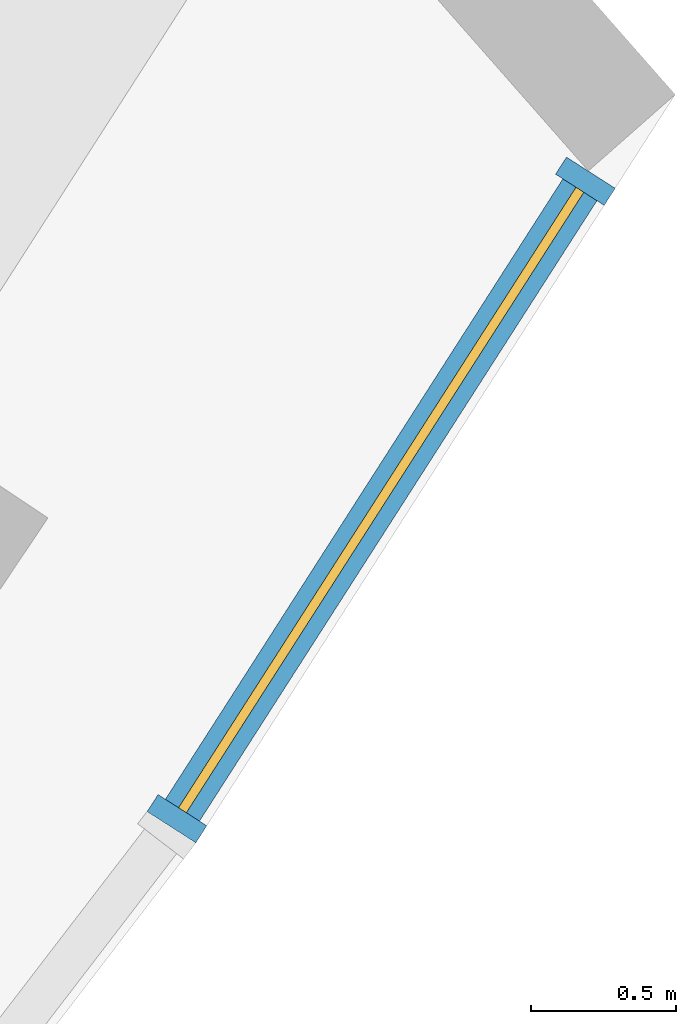
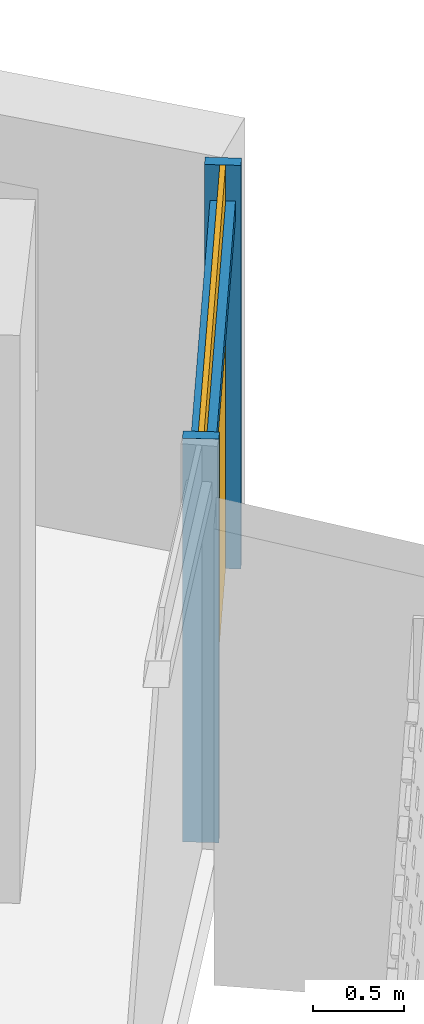
# One storey, part 25 of 32: 3 members, 1 curtain wall.
"""IFC4 building model written with IfcOpenShell, lengths in metres."""

from ifc_helpers import new_model, si_unit, direction, frame, origin, origin_2d, place, context, subcontext, project, spatial, rectangle, extrude, material, material_profile, profile_set, type_object, element, aggregate, save


model = new_model("IFC4")

# Units and contexts
model_context = context("Model", 3, precision=1e-05, world=origin(), true_north=direction((0.0, 1.0)))
body_context = subcontext(model_context, "Body", "Model", "MODEL_VIEW")
ifc_project = project(units=[si_unit("LENGTHUNIT", "METRE"), si_unit("AREAUNIT", "SQUARE_METRE"), si_unit("VOLUMEUNIT", "CUBIC_METRE"), si_unit("PLANEANGLEUNIT", "RADIAN"), si_unit("MASSUNIT", "GRAM", prefix="KILO")], contexts=[model_context])

# Member
ifc_material = material(Name="Aluminium 6063-T6 anodised", Category="aluminium")
ifc_material_profile_1 = material_profile(ifc_material, rectangle(XDim=0.199951171875, YDim=0.070068359375, at=origin_2d()))
ifc_profile_set_1 = profile_set([ifc_material_profile_1], Name="Aluminium 6063-T6 anodised")
member_type_1 = type_object("IfcMemberType", Name="Mullion 70 x 200 aluminium", PredefinedType="MULLION", material=ifc_profile_set_1)
site_placement = place(None, origin())
building_placement = place(site_placement, origin())
storey_placement = place(building_placement, frame((0.0, 0.0, 70.89990234375)))
member_1_placement = place(storey_placement, frame((66.1611328125, -44.167724609375, 0.0), z_axis=(0.0, 0.0, 1.0), x_axis=(-0.842034175149, 0.539424181773, 0.0)))
member_1 = element("IfcMember", 1, at=member_1_placement, type_object=member_type_1, Name="e-cw1-L14-out16/M00", PredefinedType="MULLION", context=body_context, shape_type="SweptSolid", body=[
    extrude(rectangle(XDim=0.199951171875, YDim=0.070068359375, at=origin_2d()), origin(), (0.0, 0.0, 1.0), 2.7001953125),
])

member_2_placement = place(storey_placement, frame((67.57373046875, -41.962890625, 0.0), z_axis=(0.0, 0.0, 1.0), x_axis=(-0.842034175149, 0.539424181773, 0.0)))
member_2 = element("IfcMember", 2, at=member_2_placement, type_object=member_type_1, Name="e-cw1-L14-out16/M01", PredefinedType="MULLION", context=body_context, shape_type="SweptSolid", body=[
    extrude(rectangle(XDim=0.199951171875, YDim=0.070068359375, at=origin_2d()), origin(), (0.0, 0.0, 1.0), 2.7001953125),
])

ifc_material_profile_2 = material_profile(ifc_material, rectangle(XDim=0.139892578125, YDim=0.1201171875, at=origin_2d()))
ifc_profile_set_2 = profile_set([ifc_material_profile_2], Name="Aluminium 6063-T6 anodised")
member_type_2 = type_object("IfcMemberType", Name="Transom 120 x 140 aluminium", PredefinedType="USERDEFINED", material=ifc_profile_set_2)
member_3_placement = place(storey_placement, frame((66.18017578125, -44.13818359375, 2.400146484375), z_axis=(0.539420623138, 0.842036454872, 0.0), x_axis=(-0.842036454872, 0.539420623138, 0.0)))
member_3 = element("IfcMember", 3, at=member_3_placement, type_object=member_type_2, Name="e-cw1-L14-out16/T00", ObjectType="TRANSOM", PredefinedType="USERDEFINED", context=body_context, shape_type="SweptSolid", body=[
    extrude(rectangle(XDim=0.139892578125, YDim=0.1201171875, at=origin_2d()), origin(), (0.0, 0.0, 1.0), 2.548583984375),
])

# Site, building, storey
site = spatial("IfcSite", under=ifc_project, at=site_placement, CompositionType="ELEMENT")
building = spatial("IfcBuilding", under=site, at=building_placement, Name="Qamariyya Broadcast Tower", CompositionType="ELEMENT")
storey = spatial("IfcBuildingStorey", under=building, at=storey_placement, Name="L14", CompositionType="ELEMENT", Elevation=70.89990234375)

# Curtain wall
curtain_wall_type = type_object("IfcCurtainWallType", Name="Unitised curtain wall, anodised aluminium", PredefinedType="NOTDEFINED", material=ifc_material)
curtain_wall_placement = place(storey_placement, origin())
curtain_wall = element("IfcCurtainWall", 4, at=curtain_wall_placement, inside=storey, type_object=curtain_wall_type, Name="e-cw1-L14-out16", PredefinedType="NOTDEFINED", context=body_context, shape_type="SweptSolid", body=[
    extrude(rectangle(XDim=2.548583984375, YDim=0.031982421875, at=origin_2d()), frame((66.867431640625, -43.0654296875, 0.0), x_axis=(0.539393792329, 0.84205364247, 0.0)), (0.0, 0.0, 1.0), 2.340087890625),
    extrude(rectangle(XDim=2.548583984375, YDim=0.031982421875, at=origin_2d()), frame((66.867431640625, -43.0654296875, 2.460205078125), x_axis=(0.539393792329, 0.84205364247, 0.0)), (0.0, 0.0, 1.0), 0.239990234375),
])

aggregate(curtain_wall, [member_1, member_2, member_3])

save(model, "model.ifc")
